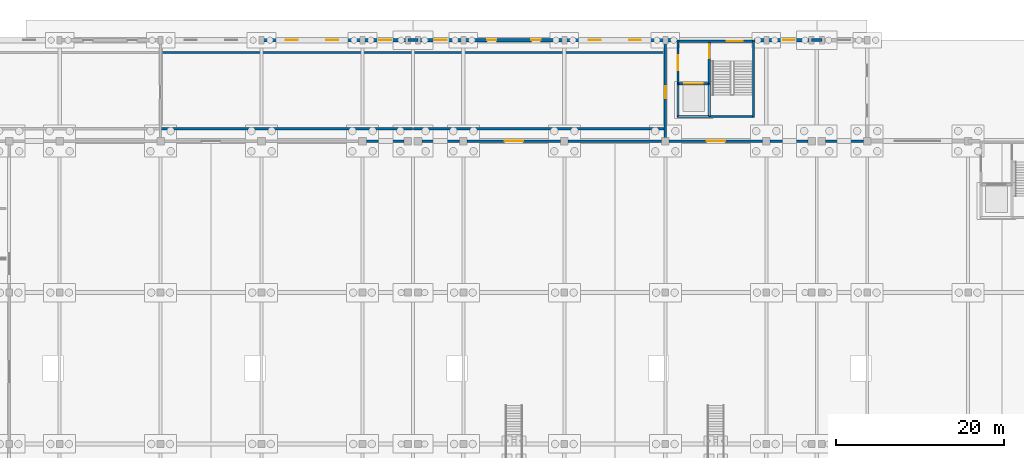
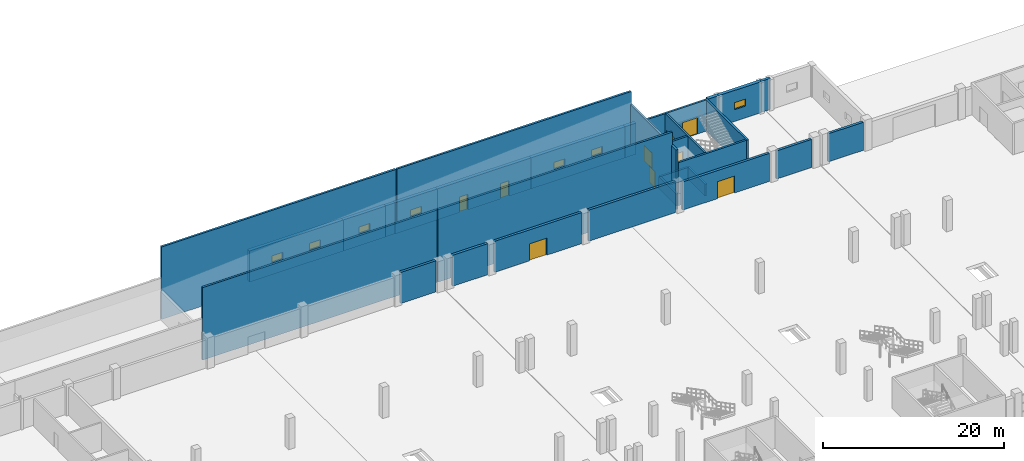
# One storey, part 65 of 77: 32 walls, 9 doors, 7 windows, 16 openings.
"""IFC4 building model written with IfcOpenShell, lengths in metres."""

from ifc_helpers import new_model, si_unit, direction, frame, frame_2d, origin, place, context, subcontext, project, spatial, rectangle, extrude, material, layer, layer_set, type_object, element, fill, save


model = new_model("IFC4")

# Units and contexts
model_context = context("Model", 3, precision=1e-05, world=origin(), true_north=direction((0.0, 1.0)))
body_context = subcontext(model_context, "Body", "Model", "MODEL_VIEW")
ifc_project = project(units=[si_unit("LENGTHUNIT", "METRE"), si_unit("AREAUNIT", "SQUARE_METRE"), si_unit("VOLUMEUNIT", "CUBIC_METRE"), si_unit("PLANEANGLEUNIT", "RADIAN"), si_unit("MASSUNIT", "GRAM", prefix="KILO")], contexts=[model_context])

# Site, building, storey
site_placement = place(None, origin())
site = spatial("IfcSite", under=ifc_project, at=site_placement, CompositionType="ELEMENT")
building_placement = place(site_placement, origin())
building = spatial("IfcBuilding", under=site, at=building_placement, Name="Zilviju Railside Exhibition Hall", CompositionType="ELEMENT")
storey_placement = place(building_placement, origin())
storey = spatial("IfcBuildingStorey", under=building, at=storey_placement, Name="L01", CompositionType="ELEMENT", Elevation=0.0)

# Walls
ifc_material_1 = material(Name="Concrete C40/50", Category="concrete")
ifc_layer_1 = layer(ifc_material_1, 0.320068359375)
ifc_layer_set_1 = layer_set([ifc_layer_1], Name="Concrete C40/50")
wall_type_1 = type_object("IfcWallType", Name="WL-COMP-320", PredefinedType="SHEAR", material=ifc_layer_set_1)
for number, where, z_axis, x_axis, name in (
    (1, (120.451904296875, 138.0, 0.0), (0.0, 0.0, 1.0), (1.0, 0.0, 0.0), "REI 180 Railside Buffer Compartment Wall L01"),
    (2, (127.052001953125, 138.0, 0.0), (0.0, 0.0, 1.0), (1.0, 0.0, 0.0), "REI 180 Railside Buffer Compartment Wall L01"),
):
    element("IfcWall", number, at=place(storey_placement, frame(where, z_axis=z_axis, x_axis=x_axis)), inside=storey, type_object=wall_type_1, Name=name, PredefinedType="SHEAR", context=body_context, shape_type="SweptSolid", body=[
        extrude(rectangle(XDim=4.49609375, YDim=0.320068359375, at=frame_2d((2.248046875, 0.0))), origin(), (0.0, 0.0, 1.0), 4.199951171875),
    ])

# Wall, opening, door
wall_1_placement = place(storey_placement, frame((132.451904296875, 138.0, 0.0), z_axis=(0.0, 0.0, 1.0), x_axis=(1.0, 0.0, 0.0)))
wall_1 = element("IfcWall", 3, at=wall_1_placement, inside=storey, type_object=wall_type_1, Name="REI 180 Railside Buffer Compartment Wall L01", PredefinedType="SHEAR", context=body_context, shape_type="SweptSolid", body=[
    extrude(rectangle(XDim=11.09619140625, YDim=0.320068359375, at=frame_2d((5.548095703125, 0.0))), origin(), (0.0, 0.0, 1.0), 4.199951171875),
])
opening_1_placement = place(wall_1_placement, frame((4.447998046875, 0.0, 0.0)))
opening_1 = element("IfcOpeningElement", 4, at=opening_1_placement, cuts=wall_1, Name="Opening FD-03", PredefinedType="OPENING", context=body_context, shape_type="SweptSolid", body=[
    extrude(rectangle(XDim=2.199951171875, YDim=2.300048828125, at=frame_2d((1.10009765625, 1.14990234375))), frame((0.0, 0.169921875, 0.0), z_axis=(0.0, -1.0, 0.0), x_axis=(1.0, 0.0, 0.0)), (0.0, 0.0, 1.0), 0.340087890625),
])
ifc_material_2 = material(Name="Hold-open double compartment fire door EI 60", Category="wood")
door_type_1 = type_object("IfcDoorType", Name="DR-COMP-220x230", OperationType="NOTDEFINED", PredefinedType="DOOR", material=ifc_material_2)
door_1_placement = place(opening_1_placement, origin())
door_1 = element("IfcDoor", 5, at=door_1_placement, inside=storey, type_object=door_type_1, Name="Logistics Marshalling Fire Door", OperationType="DOUBLE_DOOR_SINGLE_SWING", OverallHeight=2.300048828125, OverallWidth=2.199951171875, PredefinedType="DOOR", context=body_context, shape_type="SweptSolid", body=[
    extrude(rectangle(XDim=2.199951171875, YDim=2.300048828125, at=frame_2d((1.10009765625, 1.14990234375))), frame((0.0, 0.02490234375, 0.0), z_axis=(0.0, -1.0, 0.0), x_axis=(1.0, 0.0, 0.0)), (0.0, 0.0, 1.0), 0.050048828125),
])
fill(opening_1, door_1)

# Wall
wall_2_placement = place(storey_placement, frame((144.451904296875, 138.0, 0.0), z_axis=(0.0, 0.0, 1.0), x_axis=(1.0, 0.0, 0.0)))
element("IfcWall", 6, at=wall_2_placement, inside=storey, type_object=wall_type_1, Name="REI 180 Railside Buffer Compartment Wall L01", PredefinedType="SHEAR", context=body_context, shape_type="SweptSolid", body=[
    extrude(rectangle(XDim=11.09619140625, YDim=0.320068359375, at=frame_2d((5.548095703125, 0.0))), origin(), (0.0, 0.0, 1.0), 4.199951171875),
])

# Wall, opening, door
wall_3_placement = place(storey_placement, frame((156.451904296875, 138.0, 0.0), z_axis=(0.0, 0.0, 1.0), x_axis=(1.0, 0.0, 0.0)))
wall_3 = element("IfcWall", 7, at=wall_3_placement, inside=storey, type_object=wall_type_1, Name="REI 180 Railside Buffer Compartment Wall L01", PredefinedType="SHEAR", context=body_context, shape_type="SweptSolid", body=[
    extrude(rectangle(XDim=11.09619140625, YDim=0.320068359375, at=frame_2d((5.548095703125, 0.0))), origin(), (0.0, 0.0, 1.0), 3.800048828125),
])
opening_2_placement = place(wall_3_placement, frame((4.447998046875, 0.0, 0.0)))
opening_2 = element("IfcOpeningElement", 8, at=opening_2_placement, cuts=wall_3, Name="Opening FD-03", PredefinedType="OPENING", context=body_context, shape_type="SweptSolid", body=[
    extrude(rectangle(XDim=2.199951171875, YDim=2.300048828125, at=frame_2d((1.10009765625, 1.14990234375))), frame((0.0, 0.169921875, 0.0), z_axis=(0.0, -1.0, 0.0), x_axis=(1.0, 0.0, 0.0)), (0.0, 0.0, 1.0), 0.340087890625),
])
door_2_placement = place(opening_2_placement, origin())
door_2 = element("IfcDoor", 9, at=door_2_placement, inside=storey, type_object=door_type_1, Name="Logistics Marshalling Fire Door", OperationType="DOUBLE_DOOR_SINGLE_SWING", OverallHeight=2.300048828125, OverallWidth=2.199951171875, PredefinedType="DOOR", context=body_context, shape_type="SweptSolid", body=[
    extrude(rectangle(XDim=2.199951171875, YDim=2.300048828125, at=frame_2d((1.10009765625, 1.14990234375))), frame((0.0, 0.02490234375, 0.0), z_axis=(0.0, -1.0, 0.0), x_axis=(1.0, 0.0, 0.0)), (0.0, 0.0, 1.0), 0.050048828125),
])
fill(opening_2, door_2)

# Walls
for number, where, z_axis, x_axis, name in (
    (10, (168.451904296875, 138.0, 0.0), (0.0, 0.0, 1.0), (1.0, 0.0, 0.0), "REI 180 Railside Buffer Compartment Wall L01"),
    (11, (175.052001953125, 138.0, 0.0), (0.0, 0.0, 1.0), (1.0, 0.0, 0.0), "REI 180 Railside Buffer Compartment Wall L01"),
):
    element("IfcWall", number, at=place(storey_placement, frame(where, z_axis=z_axis, x_axis=x_axis)), inside=storey, type_object=wall_type_1, Name=name, PredefinedType="SHEAR", context=body_context, shape_type="SweptSolid", body=[
        extrude(rectangle(XDim=4.49609375, YDim=0.320068359375, at=frame_2d((2.248046875, 0.0))), origin(), (0.0, 0.0, 1.0), 3.800048828125),
    ])
ifc_material_3 = material(Name="Concrete C35/45", Category="concrete")
ifc_layer_2 = layer(ifc_material_3, 0.25)
ifc_layer_set_2 = layer_set([ifc_layer_2], Name="Concrete C35/45")
wall_type_2 = type_object("IfcWallType", Name="WL-CORE-250", PredefinedType="SHEAR", material=ifc_layer_set_2)
wall_4_placement = place(storey_placement, frame((166.47509765625, 150.0, 0.0), z_axis=(0.0, 0.0, 1.0), x_axis=(0.0, -1.0, 0.0)))
element("IfcWall", 12, at=wall_4_placement, inside=storey, type_object=wall_type_2, Name="Core C17 Logistics Wing East Stairwell Outer Wall L01", PredefinedType="SHEAR", context=body_context, shape_type="SweptSolid", body=[
    extrude(rectangle(XDim=9.199951171875, YDim=0.25, at=frame_2d((4.60009765625, 0.0))), origin(), (0.0, 0.0, 1.0), 4.199951171875),
])
wall_5_placement = place(storey_placement, frame((166.60009765625, 140.925048828125, 0.0), z_axis=(0.0, 0.0, 1.0), x_axis=(-1.0, 0.0, 0.0)))
element("IfcWall", 13, at=wall_5_placement, inside=storey, type_object=wall_type_2, Name="Core C17 Logistics Wing East Core Rear Wall L01", PredefinedType="SHEAR", context=body_context, shape_type="SweptSolid", body=[
    extrude(rectangle(XDim=9.2001953125, YDim=0.25, at=frame_2d((4.60009765625, 0.0))), origin(), (0.0, 0.0, 1.0), 4.199951171875),
])

# Wall, opening, door
wall_6_placement = place(storey_placement, frame((157.52490234375, 150.0, 0.0), z_axis=(0.0, 0.0, 1.0), x_axis=(0.0, -1.0, 0.0)))
wall_6 = element("IfcWall", 14, at=wall_6_placement, inside=storey, type_object=wall_type_2, Name="Core C17 Logistics Wing East Lobby Side Wall L01", PredefinedType="SHEAR", context=body_context, shape_type="SweptSolid", body=[
    extrude(rectangle(XDim=9.199951171875, YDim=0.25, at=frame_2d((4.60009765625, 0.0))), origin(), (0.0, 0.0, 1.0), 4.199951171875),
])
opening_3_placement = place(wall_6_placement, frame((1.800048828125, 0.0, 0.0)))
opening_3 = element("IfcOpeningElement", 15, at=opening_3_placement, cuts=wall_6, Name="Opening FD-02", PredefinedType="OPENING", context=body_context, shape_type="SweptSolid", body=[
    extrude(rectangle(XDim=1.800048828125, YDim=2.14990234375, at=frame_2d((0.89990234375, 1.074951171875))), frame((0.0, 0.135009765625, 0.0), z_axis=(0.0, -1.0, 0.0), x_axis=(1.0, 0.0, 0.0)), (0.0, 0.0, 1.0), 0.27001953125),
])
ifc_material_4 = material(Name="Self-closing glazed steel core lobby fire door EI 60", Category="steel")
door_type_2 = type_object("IfcDoorType", Name="DR-LOBBY-180x215", OperationType="NOTDEFINED", PredefinedType="DOOR", material=ifc_material_4)
door_3_placement = place(opening_3_placement, origin())
door_3 = element("IfcDoor", 16, at=door_3_placement, inside=storey, type_object=door_type_2, Name="Core C17 Logistics Wing East Lobby Fire Door L01", OperationType="DOUBLE_DOOR_SINGLE_SWING", OverallHeight=2.14990234375, OverallWidth=1.800048828125, PredefinedType="DOOR", context=body_context, shape_type="SweptSolid", body=[
    extrude(rectangle(XDim=1.800048828125, YDim=2.14990234375, at=frame_2d((0.89990234375, 1.074951171875))), frame((0.0, 0.02490234375, 0.0), z_axis=(0.0, -1.0, 0.0), x_axis=(1.0, 0.0, 0.0)), (0.0, 0.0, 1.0), 0.050048828125),
])
fill(opening_3, door_3)

wall_7_placement = place(storey_placement, frame((161.22509765625, 149.75, 0.0), z_axis=(0.0, 0.0, 1.0), x_axis=(0.0, -1.0, 0.0)))
wall_7 = element("IfcWall", 17, at=wall_7_placement, inside=storey, type_object=wall_type_2, Name="Core C17 Logistics Wing East Stairwell Partition Wall L01", PredefinedType="SHEAR", context=body_context, shape_type="SweptSolid", body=[
    extrude(rectangle(XDim=8.699951171875, YDim=0.25, at=frame_2d((4.35009765625, 0.0))), origin(), (0.0, 0.0, 1.0), 4.199951171875),
])
opening_4_placement = place(wall_7_placement, frame((0.25, 0.0, 0.0)))
opening_4 = element("IfcOpeningElement", 18, at=opening_4_placement, cuts=wall_7, Name="Opening FD-01", PredefinedType="OPENING", context=body_context, shape_type="SweptSolid", body=[
    extrude(rectangle(XDim=1.64990234375, YDim=2.10009765625, at=frame_2d((0.824951171875, 1.050048828125))), frame((0.0, 0.135009765625, 0.0), z_axis=(0.0, -1.0, 0.0), x_axis=(1.0, 0.0, 0.0)), (0.0, 0.0, 1.0), 0.27001953125),
])
ifc_material_5 = material(Name="Self-closing steel stair enclosure fire door EI 60", Category="steel")
door_type_3 = type_object("IfcDoorType", Name="DR-STAIR-165x210", OperationType="NOTDEFINED", PredefinedType="DOOR", material=ifc_material_5)
door_4_placement = place(opening_4_placement, origin())
door_4 = element("IfcDoor", 19, at=door_4_placement, inside=storey, type_object=door_type_3, Name="Core C17 Logistics Wing East Protected Stair Door L01", OperationType="SINGLE_SWING_LEFT", OverallHeight=2.10009765625, OverallWidth=1.64990234375, PredefinedType="DOOR", context=body_context, shape_type="SweptSolid", body=[
    extrude(rectangle(XDim=1.64990234375, YDim=2.10009765625, at=frame_2d((0.824951171875, 1.050048828125))), frame((0.0, 0.02490234375, 0.0), z_axis=(0.0, -1.0, 0.0), x_axis=(1.0, 0.0, 0.0)), (0.0, 0.0, 1.0), 0.050048828125),
])
fill(opening_4, door_4)

wall_8_placement = place(storey_placement, frame((161.10009765625, 144.824951171875, 0.0), z_axis=(0.0, 0.0, 1.0), x_axis=(-1.0, 0.0, 0.0)))
wall_8 = element("IfcWall", 20, at=wall_8_placement, inside=storey, type_object=wall_type_2, Name="Core C17 Logistics Wing East Lift Shaft Front Wall L01", PredefinedType="SHEAR", context=body_context, shape_type="SweptSolid", body=[
    extrude(rectangle(XDim=3.4501953125, YDim=0.25, at=frame_2d((1.72509765625, 0.0))), origin(), (0.0, 0.0, 1.0), 4.199951171875),
])
opening_5_placement = place(wall_8_placement, frame((0.625, 0.0, 0.0)))
opening_5 = element("IfcOpeningElement", 21, at=opening_5_placement, cuts=wall_8, Name="Opening LD-02", PredefinedType="OPENING", context=body_context, shape_type="SweptSolid", body=[
    extrude(rectangle(XDim=2.199951171875, YDim=2.35009765625, at=frame_2d((1.10009765625, 1.175048828125))), frame((0.0, 0.135009765625, 0.0), z_axis=(0.0, -1.0, 0.0), x_axis=(1.0, 0.0, 0.0)), (0.0, 0.0, 1.0), 0.27001953125),
])
ifc_material_6 = material(Name="Heavy freight lift sliding landing door EI 60", Category="wood")
door_type_4 = type_object("IfcDoorType", Name="DR-LIFT-220x235", OperationType="NOTDEFINED", PredefinedType="DOOR", material=ifc_material_6)
door_5_placement = place(opening_5_placement, origin())
door_5 = element("IfcDoor", 22, at=door_5_placement, inside=storey, type_object=door_type_4, Name="Lift Landing Door LF-04 L01", OperationType="SLIDING_TO_LEFT", OverallHeight=2.35009765625, OverallWidth=2.199951171875, PredefinedType="DOOR", context=body_context, shape_type="SweptSolid", body=[
    extrude(rectangle(XDim=2.199951171875, YDim=2.35009765625, at=frame_2d((1.10009765625, 1.175048828125))), frame((0.0, 0.02490234375, 0.0), z_axis=(0.0, -1.0, 0.0), x_axis=(1.0, 0.0, 0.0)), (0.0, 0.0, 1.0), 0.050048828125),
])
fill(opening_5, door_5)

# Walls
ifc_layer_3 = layer(ifc_material_1, 0.25)
ifc_layer_set_3 = layer_set([ifc_layer_3], Name="Concrete C40/50")
wall_type_3 = type_object("IfcWallType", Name="WL-CORE-300", PredefinedType="SHEAR", material=ifc_layer_set_3)
wall_9_placement = place(storey_placement, frame((161.219970703125, 144.820068359375, -1.60009765625), z_axis=(0.0, 0.0, 1.0), x_axis=(-1.0, 0.0, 0.0)))
element("IfcWall", 23, at=wall_9_placement, inside=storey, type_object=wall_type_3, Name="Core C17 Logistics Wing East Lift Pit Wall 1", PredefinedType="SHEAR", context=body_context, shape_type="SweptSolid", body=[
    extrude(rectangle(XDim=3.699951171875, YDim=0.25, at=frame_2d((1.85009765625, 0.0))), origin(), (0.0, 0.0, 1.0), 1.60009765625),
])
wall_10_placement = place(storey_placement, frame((157.52001953125, 144.820068359375, -1.60009765625), z_axis=(0.0, 0.0, 1.0), x_axis=(0.0, -1.0, 0.0)))
element("IfcWall", 24, at=wall_10_placement, inside=storey, type_object=wall_type_3, Name="Core C17 Logistics Wing East Lift Pit Wall 2", PredefinedType="SHEAR", context=body_context, shape_type="SweptSolid", body=[
    extrude(rectangle(XDim=3.900146484375, YDim=0.25, at=frame_2d((1.9501953125, 0.0))), origin(), (0.0, 0.0, 1.0), 1.60009765625),
])
wall_11_placement = place(storey_placement, frame((157.52001953125, 140.919921875, -1.60009765625), z_axis=(0.0, 0.0, 1.0), x_axis=(1.0, 0.0, 0.0)))
element("IfcWall", 25, at=wall_11_placement, inside=storey, type_object=wall_type_3, Name="Core C17 Logistics Wing East Lift Pit Wall 3", PredefinedType="SHEAR", context=body_context, shape_type="SweptSolid", body=[
    extrude(rectangle(XDim=3.699951171875, YDim=0.25, at=frame_2d((1.85009765625, 0.0))), origin(), (0.0, 0.0, 1.0), 1.60009765625),
])
wall_12_placement = place(storey_placement, frame((161.219970703125, 140.919921875, -1.60009765625), z_axis=(0.0, 0.0, 1.0), x_axis=(0.0, 1.0, 0.0)))
element("IfcWall", 26, at=wall_12_placement, inside=storey, type_object=wall_type_3, Name="Core C17 Logistics Wing East Lift Pit Wall 4", PredefinedType="SHEAR", context=body_context, shape_type="SweptSolid", body=[
    extrude(rectangle(XDim=3.900146484375, YDim=0.25, at=frame_2d((1.9501953125, 0.0))), origin(), (0.0, 0.0, 1.0), 1.60009765625),
])

# Wall, opening, door
wall_13_placement = place(storey_placement, frame((157.39990234375, 149.875, 0.0), z_axis=(0.0, 0.0, 1.0), x_axis=(1.0, 0.0, 0.0)))
wall_13 = element("IfcWall", 27, at=wall_13_placement, inside=storey, type_object=wall_type_3, Name="Core C17 Logistics Wing East Exterior Core Wall L01", PredefinedType="SHEAR", context=body_context, shape_type="SweptSolid", body=[
    extrude(rectangle(XDim=9.2001953125, YDim=0.25, at=frame_2d((4.60009765625, 0.0))), origin(), (0.0, 0.0, 1.0), 4.199951171875),
])
opening_6_placement = place(wall_13_placement, frame((5.89990234375, 0.0, 0.0)))
opening_6 = element("IfcOpeningElement", 28, at=opening_6_placement, cuts=wall_13, Name="Opening ED-02", PredefinedType="OPENING", context=body_context, shape_type="SweptSolid", body=[
    extrude(rectangle(XDim=1.89990234375, YDim=2.199951171875, at=frame_2d((0.949951171875, 1.10009765625))), frame((0.0, 0.135009765625, 0.0), z_axis=(0.0, -1.0, 0.0), x_axis=(1.0, 0.0, 0.0)), (0.0, 0.0, 1.0), 0.27001953125),
])
ifc_material_7 = material(Name="Insulated aluminium stair discharge door", Category="aluminium")
door_type_5 = type_object("IfcDoorType", Name="DR-EXT-EXIT-190x220", OperationType="NOTDEFINED", PredefinedType="DOOR", material=ifc_material_7)
door_6_placement = place(opening_6_placement, origin())
door_6 = element("IfcDoor", 29, at=door_6_placement, inside=storey, type_object=door_type_5, Name="Core C17 Logistics Wing East Exit Stair Discharge Door ED-C17", OperationType="DOUBLE_DOOR_SINGLE_SWING", OverallHeight=2.199951171875, OverallWidth=1.89990234375, PredefinedType="DOOR", context=body_context, shape_type="SweptSolid", body=[
    extrude(rectangle(XDim=1.89990234375, YDim=2.199951171875, at=frame_2d((0.949951171875, 1.10009765625))), frame((0.0, 0.02490234375, 0.0), z_axis=(0.0, -1.0, 0.0), x_axis=(1.0, 0.0, 0.0)), (0.0, 0.0, 1.0), 0.050048828125),
])
fill(opening_6, door_6)

# Walls
ifc_material_8 = material(Name="Insulated courtyard masonry wall", Category="masonry")
ifc_layer_4 = layer(ifc_material_8, 0.360107421875)
ifc_layer_set_4 = layer_set([ifc_layer_4], Name="Insulated courtyard masonry wall")
wall_type_4 = type_object("IfcWallType", Name="WL-EXT-360", PredefinedType="SOLIDWALL", material=ifc_layer_set_4)
for number, where, z_axis, x_axis, name in (
    (30, (125.39990234375, 150.0, 0.0), (0.0, 0.0, 1.0), (1.0, 0.0, 0.0), "Exterior Facade Wall L01 North 0583"),
    (31, (173.39990234375, 150.0, 0.0), (0.0, 0.0, 1.0), (1.0, 0.0, 0.0), "Exterior Facade Wall L01 North 0597"),
):
    element("IfcWall", number, at=place(storey_placement, frame(where, z_axis=z_axis, x_axis=x_axis)), inside=storey, type_object=wall_type_4, Name=name, PredefinedType="SOLIDWALL", context=body_context, shape_type="SweptSolid", body=[
        extrude(rectangle(XDim=1.2001953125, YDim=0.360107421875, at=frame_2d((0.60009765625, 0.0))), origin(), (0.0, 0.0, 1.0), 4.199951171875),
    ])

# Wall, openings, windows
ifc_layer_5 = layer(ifc_material_1, 0.43994140625)
ifc_layer_set_5 = layer_set([ifc_layer_5], Name="Concrete C40/50")
wall_type_5 = type_object("IfcWallType", Name="WL-EXT-AC440", PredefinedType="SHEAR", material=ifc_layer_set_5)
wall_14_placement = place(storey_placement, frame((108.0, 150.0, 0.0), z_axis=(0.0, 0.0, 1.0), x_axis=(1.0, 0.0, 0.0)))
wall_14 = element("IfcWall", 32, at=wall_14_placement, inside=storey, type_object=wall_type_5, Name="Exterior Facade Wall L01 North 0530", PredefinedType="SHEAR", context=body_context, shape_type="SweptSolid", body=[
    extrude(rectangle(XDim=12.0, YDim=0.43994140625, at=frame_2d((6.0, 0.0))), origin(), (0.0, 0.0, 1.0), 4.199951171875),
])
opening_7_placement = place(wall_14_placement, frame((2.89990234375, 0.0, 1.60009765625)))
opening_7 = element("IfcOpeningElement", 33, at=opening_7_placement, cuts=wall_14, Name="Opening WN-17", PredefinedType="OPENING", context=body_context, shape_type="SweptSolid", body=[
    extrude(rectangle(XDim=1.39990234375, YDim=0.949951171875, at=frame_2d((0.699951171875, 0.47509765625))), frame((0.0, 0.22998046875, 0.0), z_axis=(0.0, -1.0, 0.0), x_axis=(1.0, 0.0, 0.0)), (0.0, 0.0, 1.0), 0.4599609375),
])
opening_8_placement = place(wall_14_placement, frame((7.699951171875, 0.0, 1.60009765625)))
opening_8 = element("IfcOpeningElement", 34, at=opening_8_placement, cuts=wall_14, Name="Opening WN-17", PredefinedType="OPENING", context=body_context, shape_type="SweptSolid", body=[
    extrude(rectangle(XDim=1.39990234375, YDim=0.949951171875, at=frame_2d((0.699951171875, 0.47509765625))), frame((0.0, 0.22998046875, 0.0), z_axis=(0.0, -1.0, 0.0), x_axis=(1.0, 0.0, 0.0)), (0.0, 0.0, 1.0), 0.4599609375),
])
ifc_material_9 = material(Name="Triple-glazed timber-aluminium window unit", Category="wood")
window_type = type_object("IfcWindowType", Name="WIN-LOG-140x095", PartitioningType="DOUBLE_PANEL_VERTICAL", PredefinedType="WINDOW", material=ifc_material_9)
window_1_placement = place(opening_7_placement, origin())
window_1 = element("IfcWindow", 35, at=window_1_placement, inside=storey, type_object=window_type, Name="Facade Window L01 WN-0102", OverallHeight=0.949951171875, OverallWidth=1.39990234375, PartitioningType="SINGLE_PANEL", PredefinedType="WINDOW", context=body_context, shape_type="SweptSolid", body=[
    extrude(rectangle(XDim=1.39990234375, YDim=0.949951171875, at=frame_2d((0.699951171875, 0.47509765625))), frame((0.0, 0.030029296875, 0.0), z_axis=(0.0, -1.0, 0.0), x_axis=(1.0, 0.0, 0.0)), (0.0, 0.0, 1.0), 0.06005859375),
])
fill(opening_7, window_1)
window_2_placement = place(opening_8_placement, origin())
window_2 = element("IfcWindow", 36, at=window_2_placement, inside=storey, type_object=window_type, Name="Facade Window L01 WN-0103", OverallHeight=0.949951171875, OverallWidth=1.39990234375, PartitioningType="SINGLE_PANEL", PredefinedType="WINDOW", context=body_context, shape_type="SweptSolid", body=[
    extrude(rectangle(XDim=1.39990234375, YDim=0.949951171875, at=frame_2d((0.699951171875, 0.47509765625))), frame((0.0, 0.030029296875, 0.0), z_axis=(0.0, -1.0, 0.0), x_axis=(1.0, 0.0, 0.0)), (0.0, 0.0, 1.0), 0.06005859375),
])
fill(opening_8, window_2)

# Wall, opening, window
wall_15_placement = place(storey_placement, frame((120.0, 150.0, 0.0), z_axis=(0.0, 0.0, 1.0), x_axis=(1.0, 0.0, 0.0)))
wall_15 = element("IfcWall", 37, at=wall_15_placement, inside=storey, type_object=wall_type_5, Name="Exterior Facade Wall L01 North 0531", PredefinedType="SHEAR", context=body_context, shape_type="SweptSolid", body=[
    extrude(rectangle(XDim=5.39990234375, YDim=0.43994140625, at=frame_2d((2.699951171875, 0.0))), origin(), (0.0, 0.0, 1.0), 4.199951171875),
])
opening_9_placement = place(wall_15_placement, frame((2.0, 0.0, 1.60009765625)))
opening_9 = element("IfcOpeningElement", 38, at=opening_9_placement, cuts=wall_15, Name="Opening WN-17", PredefinedType="OPENING", context=body_context, shape_type="SweptSolid", body=[
    extrude(rectangle(XDim=1.39990234375, YDim=0.949951171875, at=frame_2d((0.699951171875, 0.47509765625))), frame((0.0, 0.22998046875, 0.0), z_axis=(0.0, -1.0, 0.0), x_axis=(1.0, 0.0, 0.0)), (0.0, 0.0, 1.0), 0.4599609375),
])
window_3_placement = place(opening_9_placement, origin())
window_3 = element("IfcWindow", 39, at=window_3_placement, inside=storey, type_object=window_type, Name="Facade Window L01 WN-0104", OverallHeight=0.949951171875, OverallWidth=1.39990234375, PartitioningType="SINGLE_PANEL", PredefinedType="WINDOW", context=body_context, shape_type="SweptSolid", body=[
    extrude(rectangle(XDim=1.39990234375, YDim=0.949951171875, at=frame_2d((0.699951171875, 0.47509765625))), frame((0.0, 0.030029296875, 0.0), z_axis=(0.0, -1.0, 0.0), x_axis=(1.0, 0.0, 0.0)), (0.0, 0.0, 1.0), 0.06005859375),
])
fill(opening_9, window_3)

wall_16_placement = place(storey_placement, frame((126.60009765625, 150.0, 0.0), z_axis=(0.0, 0.0, 1.0), x_axis=(1.0, 0.0, 0.0)))
wall_16 = element("IfcWall", 40, at=wall_16_placement, inside=storey, type_object=wall_type_5, Name="Exterior Facade Wall L01 North 0532", PredefinedType="SHEAR", context=body_context, shape_type="SweptSolid", body=[
    extrude(rectangle(XDim=5.39990234375, YDim=0.43994140625, at=frame_2d((2.699951171875, 0.0))), origin(), (0.0, 0.0, 1.0), 4.199951171875),
])
opening_10_placement = place(wall_16_placement, frame((2.0, 0.0, 1.60009765625)))
opening_10 = element("IfcOpeningElement", 41, at=opening_10_placement, cuts=wall_16, Name="Opening WN-17", PredefinedType="OPENING", context=body_context, shape_type="SweptSolid", body=[
    extrude(rectangle(XDim=1.39990234375, YDim=0.949951171875, at=frame_2d((0.699951171875, 0.47509765625))), frame((0.0, 0.22998046875, 0.0), z_axis=(0.0, -1.0, 0.0), x_axis=(1.0, 0.0, 0.0)), (0.0, 0.0, 1.0), 0.4599609375),
])
window_4_placement = place(opening_10_placement, origin())
window_4 = element("IfcWindow", 42, at=window_4_placement, inside=storey, type_object=window_type, Name="Facade Window L01 WN-0105", OverallHeight=0.949951171875, OverallWidth=1.39990234375, PartitioningType="SINGLE_PANEL", PredefinedType="WINDOW", context=body_context, shape_type="SweptSolid", body=[
    extrude(rectangle(XDim=1.39990234375, YDim=0.949951171875, at=frame_2d((0.699951171875, 0.47509765625))), frame((0.0, 0.030029296875, 0.0), z_axis=(0.0, -1.0, 0.0), x_axis=(1.0, 0.0, 0.0)), (0.0, 0.0, 1.0), 0.06005859375),
])
fill(opening_10, window_4)

# Wall, openings, doors
wall_17_placement = place(storey_placement, frame((132.0, 150.0, 0.0), z_axis=(0.0, 0.0, 1.0), x_axis=(1.0, 0.0, 0.0)))
wall_17 = element("IfcWall", 43, at=wall_17_placement, inside=storey, type_object=wall_type_5, Name="Exterior Facade Wall L01 North 0533", PredefinedType="SHEAR", context=body_context, shape_type="SweptSolid", body=[
    extrude(rectangle(XDim=12.0, YDim=0.43994140625, at=frame_2d((6.0, 0.0))), origin(), (0.0, 0.0, 1.0), 4.199951171875),
])
opening_11_placement = place(wall_17_placement, frame((2.81005859375, 0.0, 0.0)))
opening_11 = element("IfcOpeningElement", 44, at=opening_11_placement, cuts=wall_17, Name="Opening SD-01", PredefinedType="OPENING", context=body_context, shape_type="SweptSolid", body=[
    extrude(rectangle(XDim=1.10009765625, YDim=2.10009765625, at=frame_2d((0.550048828125, 1.050048828125))), frame((0.0, 0.22998046875, 0.0), z_axis=(0.0, -1.0, 0.0), x_axis=(1.0, 0.0, 0.0)), (0.0, 0.0, 1.0), 0.4599609375),
])
opening_12_placement = place(wall_17_placement, frame((8.090087890625, 0.0, 0.0)))
opening_12 = element("IfcOpeningElement", 45, at=opening_12_placement, cuts=wall_17, Name="Opening SD-01", PredefinedType="OPENING", context=body_context, shape_type="SweptSolid", body=[
    extrude(rectangle(XDim=1.10009765625, YDim=2.10009765625, at=frame_2d((0.550048828125, 1.050048828125))), frame((0.0, 0.22998046875, 0.0), z_axis=(0.0, -1.0, 0.0), x_axis=(1.0, 0.0, 0.0)), (0.0, 0.0, 1.0), 0.4599609375),
])
ifc_material_10 = material(Name="Insulated steel plant exterior door", Category="steel")
door_type_6 = type_object("IfcDoorType", Name="DR-EXT-SERV-110x210", OperationType="NOTDEFINED", PredefinedType="DOOR", material=ifc_material_10)
door_7_placement = place(opening_11_placement, origin())
door_7 = element("IfcDoor", 46, at=door_7_placement, inside=storey, type_object=door_type_6, Name="Pedestrian Final Exit Door ED-064", OperationType="DOUBLE_DOOR_SINGLE_SWING", OverallHeight=2.10009765625, OverallWidth=1.10009765625, PredefinedType="DOOR", context=body_context, shape_type="SweptSolid", body=[
    extrude(rectangle(XDim=1.10009765625, YDim=2.10009765625, at=frame_2d((0.550048828125, 1.050048828125))), frame((0.0, 0.02490234375, 0.0), z_axis=(0.0, -1.0, 0.0), x_axis=(1.0, 0.0, 0.0)), (0.0, 0.0, 1.0), 0.050048828125),
])
fill(opening_11, door_7)
door_8_placement = place(opening_12_placement, origin())
door_8 = element("IfcDoor", 47, at=door_8_placement, inside=storey, type_object=door_type_6, Name="Pedestrian Final Exit Door ED-065", OperationType="DOUBLE_DOOR_SINGLE_SWING", OverallHeight=2.10009765625, OverallWidth=1.10009765625, PredefinedType="DOOR", context=body_context, shape_type="SweptSolid", body=[
    extrude(rectangle(XDim=1.10009765625, YDim=2.10009765625, at=frame_2d((0.550048828125, 1.050048828125))), frame((0.0, 0.02490234375, 0.0), z_axis=(0.0, -1.0, 0.0), x_axis=(1.0, 0.0, 0.0)), (0.0, 0.0, 1.0), 0.050048828125),
])
fill(opening_12, door_8)

# Wall, openings, windows
wall_18_placement = place(storey_placement, frame((144.0, 150.0, 0.0), z_axis=(0.0, 0.0, 1.0), x_axis=(1.0, 0.0, 0.0)))
wall_18 = element("IfcWall", 48, at=wall_18_placement, inside=storey, type_object=wall_type_5, Name="Exterior Facade Wall L01 North 0534", PredefinedType="SHEAR", context=body_context, shape_type="SweptSolid", body=[
    extrude(rectangle(XDim=12.0, YDim=0.43994140625, at=frame_2d((6.0, 0.0))), origin(), (0.0, 0.0, 1.0), 4.199951171875),
])
opening_13_placement = place(wall_18_placement, frame((2.89990234375, 0.0, 1.60009765625)))
opening_13 = element("IfcOpeningElement", 49, at=opening_13_placement, cuts=wall_18, Name="Opening WN-17", PredefinedType="OPENING", context=body_context, shape_type="SweptSolid", body=[
    extrude(rectangle(XDim=1.39990234375, YDim=0.949951171875, at=frame_2d((0.699951171875, 0.47509765625))), frame((0.0, 0.22998046875, 0.0), z_axis=(0.0, -1.0, 0.0), x_axis=(1.0, 0.0, 0.0)), (0.0, 0.0, 1.0), 0.4599609375),
])
opening_14_placement = place(wall_18_placement, frame((7.699951171875, 0.0, 1.60009765625)))
opening_14 = element("IfcOpeningElement", 50, at=opening_14_placement, cuts=wall_18, Name="Opening WN-17", PredefinedType="OPENING", context=body_context, shape_type="SweptSolid", body=[
    extrude(rectangle(XDim=1.39990234375, YDim=0.949951171875, at=frame_2d((0.699951171875, 0.47509765625))), frame((0.0, 0.22998046875, 0.0), z_axis=(0.0, -1.0, 0.0), x_axis=(1.0, 0.0, 0.0)), (0.0, 0.0, 1.0), 0.4599609375),
])
window_5_placement = place(opening_13_placement, origin())
window_5 = element("IfcWindow", 51, at=window_5_placement, inside=storey, type_object=window_type, Name="Facade Window L01 WN-0106", OverallHeight=0.949951171875, OverallWidth=1.39990234375, PartitioningType="SINGLE_PANEL", PredefinedType="WINDOW", context=body_context, shape_type="SweptSolid", body=[
    extrude(rectangle(XDim=1.39990234375, YDim=0.949951171875, at=frame_2d((0.699951171875, 0.47509765625))), frame((0.0, 0.030029296875, 0.0), z_axis=(0.0, -1.0, 0.0), x_axis=(1.0, 0.0, 0.0)), (0.0, 0.0, 1.0), 0.06005859375),
])
fill(opening_13, window_5)
window_6_placement = place(opening_14_placement, origin())
window_6 = element("IfcWindow", 52, at=window_6_placement, inside=storey, type_object=window_type, Name="Facade Window L01 WN-0107", OverallHeight=0.949951171875, OverallWidth=1.39990234375, PartitioningType="SINGLE_PANEL", PredefinedType="WINDOW", context=body_context, shape_type="SweptSolid", body=[
    extrude(rectangle(XDim=1.39990234375, YDim=0.949951171875, at=frame_2d((0.699951171875, 0.47509765625))), frame((0.0, 0.030029296875, 0.0), z_axis=(0.0, -1.0, 0.0), x_axis=(1.0, 0.0, 0.0)), (0.0, 0.0, 1.0), 0.06005859375),
])
fill(opening_14, window_6)

# Walls
for number, where, z_axis, x_axis, name in (
    (53, (156.0, 150.0, 0.0), (0.0, 0.0, 1.0), (1.0, 0.0, 0.0), "Exterior Facade Wall L01 North 0535"),
    (54, (166.60009765625, 150.0, 0.0), (0.0, 0.0, 1.0), (1.0, 0.0, 0.0), "Exterior Facade Wall L01 North 0536"),
):
    element("IfcWall", number, at=place(storey_placement, frame(where, z_axis=z_axis, x_axis=x_axis)), inside=storey, type_object=wall_type_5, Name=name, PredefinedType="SHEAR", context=body_context, shape_type="SweptSolid", body=[
        extrude(rectangle(XDim=1.39990234375, YDim=0.43994140625, at=frame_2d((0.699951171875, 0.0))), origin(), (0.0, 0.0, 1.0), 4.199951171875),
    ])

# Wall, opening, window
wall_19_placement = place(storey_placement, frame((168.0, 150.0, 0.0), z_axis=(0.0, 0.0, 1.0), x_axis=(1.0, 0.0, 0.0)))
wall_19 = element("IfcWall", 55, at=wall_19_placement, inside=storey, type_object=wall_type_5, Name="Exterior Facade Wall L01 North 0537", PredefinedType="SHEAR", context=body_context, shape_type="SweptSolid", body=[
    extrude(rectangle(XDim=5.39990234375, YDim=0.43994140625, at=frame_2d((2.699951171875, 0.0))), origin(), (0.0, 0.0, 1.0), 4.199951171875),
])
opening_15_placement = place(wall_19_placement, frame((2.0, 0.0, 1.60009765625)))
opening_15 = element("IfcOpeningElement", 56, at=opening_15_placement, cuts=wall_19, Name="Opening WN-17", PredefinedType="OPENING", context=body_context, shape_type="SweptSolid", body=[
    extrude(rectangle(XDim=1.39990234375, YDim=0.949951171875, at=frame_2d((0.699951171875, 0.47509765625))), frame((0.0, 0.22998046875, 0.0), z_axis=(0.0, -1.0, 0.0), x_axis=(1.0, 0.0, 0.0)), (0.0, 0.0, 1.0), 0.4599609375),
])
window_7_placement = place(opening_15_placement, origin())
window_7 = element("IfcWindow", 57, at=window_7_placement, inside=storey, type_object=window_type, Name="Facade Window L01 WN-0108", OverallHeight=0.949951171875, OverallWidth=1.39990234375, PartitioningType="SINGLE_PANEL", PredefinedType="WINDOW", context=body_context, shape_type="SweptSolid", body=[
    extrude(rectangle(XDim=1.39990234375, YDim=0.949951171875, at=frame_2d((0.699951171875, 0.47509765625))), frame((0.0, 0.030029296875, 0.0), z_axis=(0.0, -1.0, 0.0), x_axis=(1.0, 0.0, 0.0)), (0.0, 0.0, 1.0), 0.06005859375),
])
fill(opening_15, window_7)

# Walls
ifc_layer_6 = layer(ifc_material_1, 0.260009765625)
ifc_layer_set_6 = layer_set([ifc_layer_6], Name="Concrete C40/50")
wall_type_6 = type_object("IfcWallType", Name="WL-RAMP-260", PredefinedType="SHEAR", material=ifc_layer_set_6)
for number, where, z_axis, x_axis, name in (
    (58, (96.0, 139.469970703125, 0.0), (0.0, 0.0, 1.0), (1.0, 0.0, 0.0), "HGV Truck Ramp Bearing Wall 3S"),
    (59, (96.0, 148.530029296875, 0.0), (0.0, 0.0, 1.0), (1.0, 0.0, 0.0), "HGV Truck Ramp Bearing Wall 3N"),
    (60, (126.050048828125, 139.469970703125, 0.0), (0.0, 0.0, 1.0), (1.0, 0.0, 0.0), "HGV Truck Ramp Bearing Wall 4S"),
    (61, (126.050048828125, 148.530029296875, 0.0), (0.0, 0.0, 1.0), (1.0, 0.0, 0.0), "HGV Truck Ramp Bearing Wall 4N"),
):
    element("IfcWall", number, at=place(storey_placement, frame(where, z_axis=z_axis, x_axis=x_axis)), inside=storey, type_object=wall_type_6, Name=name, PredefinedType="SHEAR", context=body_context, shape_type="SweptSolid", body=[
        extrude(rectangle(XDim=29.949951171875, YDim=0.260009765625, at=frame_2d((14.97509765625, 0.0))), origin(), (0.0, 0.0, 1.0), 9.800048828125),
    ])

# Wall, opening, door
wall_20_placement = place(storey_placement, frame((156.0, 138.300048828125, 0.0), z_axis=(0.0, 0.0, 1.0), x_axis=(0.0, 1.0, 0.0)))
wall_20 = element("IfcWall", 62, at=wall_20_placement, inside=storey, type_object=wall_type_6, Name="HGV Ramp Transverse Bearing Wall X=156", PredefinedType="SHEAR", context=body_context, shape_type="SweptSolid", body=[
    extrude(rectangle(XDim=11.39990234375, YDim=0.260009765625, at=frame_2d((5.699951171875, 0.0))), origin(), (0.0, 0.0, 1.0), 8.050048828125),
])
opening_16_placement = place(wall_20_placement, frame((4.800048828125, 0.0, 0.0)))
opening_16 = element("IfcOpeningElement", 63, at=opening_16_placement, cuts=wall_20, Name="Opening FD-05", PredefinedType="OPENING", context=body_context, shape_type="SweptSolid", body=[
    extrude(rectangle(XDim=1.39990234375, YDim=2.14990234375, at=frame_2d((0.699951171875, 1.074951171875))), frame((0.0, 0.139892578125, 0.0), z_axis=(0.0, -1.0, 0.0), x_axis=(1.0, 0.0, 0.0)), (0.0, 0.0, 1.0), 0.280029296875),
])
ifc_material_11 = material(Name="Steel double plant room fire door EI 60", Category="steel")
door_type_7 = type_object("IfcDoorType", Name="DR-PLANT-140x215", OperationType="NOTDEFINED", PredefinedType="DOOR", material=ifc_material_11)
door_9_placement = place(opening_16_placement, origin())
door_9 = element("IfcDoor", 64, at=door_9_placement, inside=storey, type_object=door_type_7, Name="Marshalling East Fire Door", OperationType="SINGLE_SWING_LEFT", OverallHeight=2.14990234375, OverallWidth=1.39990234375, PredefinedType="DOOR", context=body_context, shape_type="SweptSolid", body=[
    extrude(rectangle(XDim=1.39990234375, YDim=2.14990234375, at=frame_2d((0.699951171875, 1.074951171875))), frame((0.0, 0.02490234375, 0.0), z_axis=(0.0, -1.0, 0.0), x_axis=(1.0, 0.0, 0.0)), (0.0, 0.0, 1.0), 0.050048828125),
])
fill(opening_16, door_9)

save(model, "model.ifc")
